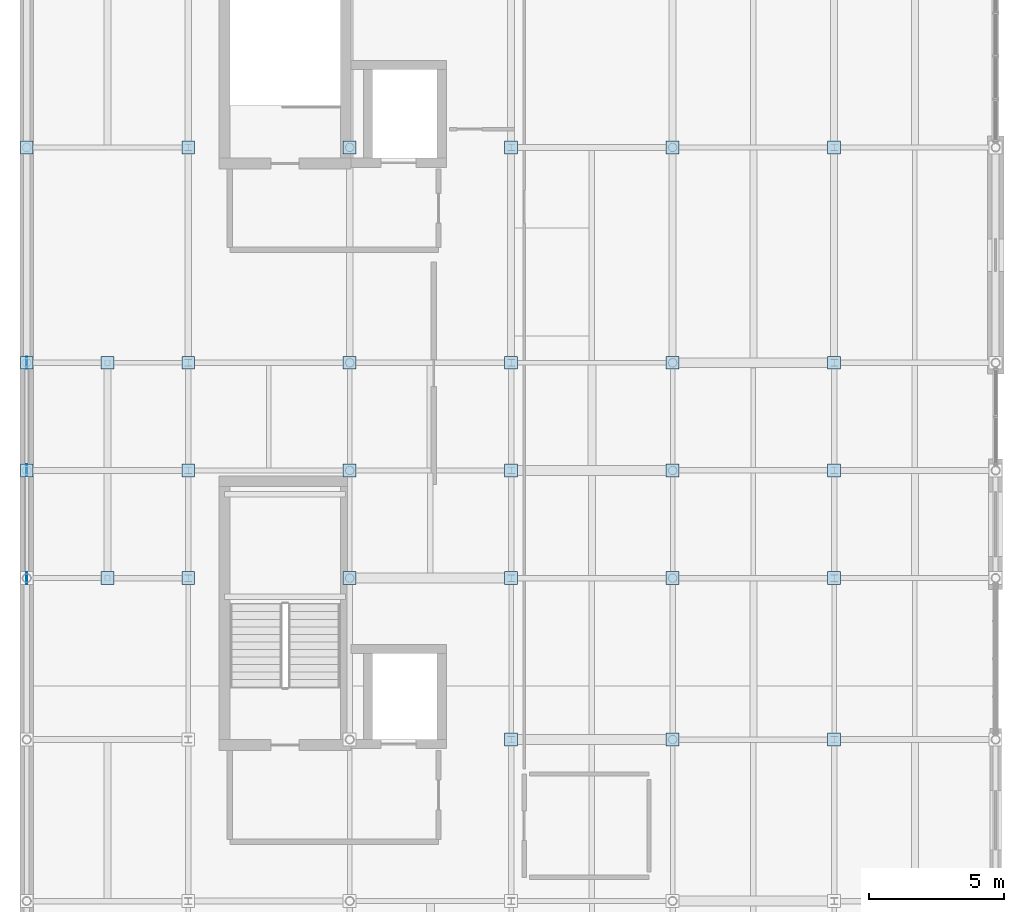
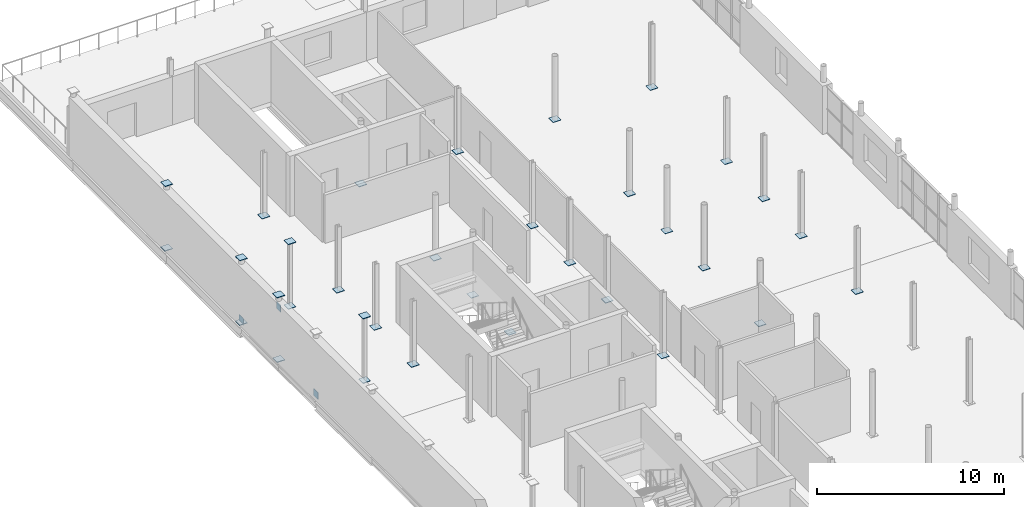
# One storey, part 25 of 30: 36 plates.
"""IFC4 building model written with IfcOpenShell, lengths in metres."""

from ifc_helpers import new_model, si_unit, direction, frame, origin, origin_2d, place, context, subcontext, project, spatial, rectangle, extrude, material, layer, layer_set, type_object, element, save


model = new_model("IFC4")

# Units and contexts
model_context = context("Model", 3, precision=1e-05, world=origin(), true_north=direction((0.0, 1.0)))
body_context = subcontext(model_context, "Body", "Model", "MODEL_VIEW")
ifc_project = project(units=[si_unit("LENGTHUNIT", "METRE"), si_unit("AREAUNIT", "SQUARE_METRE"), si_unit("VOLUMEUNIT", "CUBIC_METRE"), si_unit("PLANEANGLEUNIT", "RADIAN"), si_unit("MASSUNIT", "GRAM", prefix="KILO")], contexts=[model_context])

# Site, building, storey
site_placement = place(None, origin())
site = spatial("IfcSite", under=ifc_project, at=site_placement, CompositionType="ELEMENT")
building_placement = place(site_placement, origin())
building = spatial("IfcBuilding", under=site, at=building_placement, Name="Verrall Gate Interchange", CompositionType="ELEMENT")
storey_placement = place(building_placement, frame((0.0, 0.0, 19.39990234375)))
storey = spatial("IfcBuildingStorey", under=building, at=storey_placement, Name="L05", CompositionType="ELEMENT", Elevation=19.39990234375)

# Plates
ifc_material_1 = material(Name="Structural Steel CSA G40.21 350WT Cat 4", Category="steel")
ifc_layer_1 = layer(ifc_material_1, 0.0400390625)
ifc_layer_set_1 = layer_set([ifc_layer_1], Name="Structural Steel CSA G40.21 350WT Cat 4")
plate_type_1 = type_object("IfcPlateType", Name="BP-01 Base Plate 40", PredefinedType="USERDEFINED", material=ifc_layer_set_1)
for number, where, z_axis, x_axis, name in (
    (1, (0.0, 44.0, -0.02001953125), (0.0, 0.0, 1.0), (1.0, 0.0, 0.0), "L05 Hollow Column Transition Cap Plate 0063"),
    (2, (0.0, 44.0, 4.2001953125), (0.0, 0.0, 1.0), (1.0, 0.0, 0.0), "L05 Hollow Column Top Cap Plate 0064"),
    (3, (0.0, 48.0, -0.02001953125), (0.0, 0.0, 1.0), (1.0, 0.0, 0.0), "L05 Hollow Column Transition Cap Plate 0070"),
    (4, (0.0, 48.0, 4.2001953125), (0.0, 0.0, 1.0), (1.0, 0.0, 0.0), "L05 Hollow Column Top Cap Plate 0071"),
    (5, (0.0, 56.0, -0.02001953125), (0.0, 0.0, 1.0), (1.0, 0.0, 0.0), "L05 Hollow Column Transition Cap Plate 0077"),
    (6, (0.0, 56.0, 4.2001953125), (0.0, 0.0, 1.0), (1.0, 0.0, 0.0), "L05 Hollow Column Top Cap Plate 0078"),
    (7, (3.0, 40.0, -0.02001953125), (0.0, 0.0, 1.0), (1.0, 0.0, 0.0), "L05 Hollow Column Transition Cap Plate 0120"),
    (8, (3.0, 40.0, 4.2001953125), (0.0, 0.0, 1.0), (1.0, 0.0, 0.0), "L05 Hollow Column Top Cap Plate 0121"),
    (9, (3.0, 48.0, -0.02001953125), (0.0, 0.0, 1.0), (1.0, 0.0, 0.0), "L05 Hollow Column Transition Cap Plate 0127"),
    (10, (3.0, 48.0, 4.2001953125), (0.0, 0.0, 1.0), (1.0, 0.0, 0.0), "L05 Hollow Column Top Cap Plate 0128"),
    (11, (6.0, 40.0, -0.02001953125), (0.0, 0.0, 1.0), (1.0, 0.0, 0.0), "L05 Hollow Column Transition Cap Plate 0195"),
    (12, (6.0, 44.0, -0.02001953125), (0.0, 0.0, 1.0), (1.0, 0.0, 0.0), "L05 Hollow Column Transition Cap Plate 0204"),
    (13, (6.0, 48.0, -0.02001953125), (0.0, 0.0, 1.0), (1.0, 0.0, 0.0), "L05 Hollow Column Transition Cap Plate 0213"),
    (14, (6.0, 56.0, -0.02001953125), (0.0, 0.0, 1.0), (1.0, 0.0, 0.0), "L05 Hollow Column Transition Cap Plate 0221"),
    (15, (12.0, 40.0, -0.02001953125), (0.0, 0.0, 1.0), (1.0, 0.0, 0.0), "L05 Hollow Column Transition Cap Plate 0312"),
    (16, (12.0, 44.0, -0.02001953125), (0.0, 0.0, 1.0), (1.0, 0.0, 0.0), "L05 Hollow Column Transition Cap Plate 0321"),
    (17, (12.0, 48.0, -0.02001953125), (0.0, 0.0, 1.0), (1.0, 0.0, 0.0), "L05 Hollow Column Transition Cap Plate 0330"),
    (18, (12.0, 56.0, -0.02001953125), (0.0, 0.0, 1.0), (1.0, 0.0, 0.0), "L05 Hollow Column Transition Cap Plate 0338"),
    (19, (18.0, 34.0, -0.02001953125), (0.0, 0.0, 1.0), (1.0, 0.0, 0.0), "L05 Hollow Column Transition Cap Plate 0420"),
    (20, (18.0, 40.0, -0.02001953125), (0.0, 0.0, 1.0), (1.0, 0.0, 0.0), "L05 Hollow Column Transition Cap Plate 0429"),
    (21, (18.0, 44.0, -0.02001953125), (0.0, 0.0, 1.0), (1.0, 0.0, 0.0), "L05 Hollow Column Transition Cap Plate 0438"),
    (22, (18.0, 48.0, -0.02001953125), (0.0, 0.0, 1.0), (1.0, 0.0, 0.0), "L05 Hollow Column Transition Cap Plate 0447"),
    (23, (18.0, 56.0, -0.02001953125), (0.0, 0.0, 1.0), (1.0, 0.0, 0.0), "L05 Hollow Column Transition Cap Plate 0455"),
    (24, (24.0, 34.0, -0.02001953125), (0.0, 0.0, 1.0), (1.0, 0.0, 0.0), "L05 Hollow Column Transition Cap Plate 0537"),
    (25, (24.0, 40.0, -0.02001953125), (0.0, 0.0, 1.0), (1.0, 0.0, 0.0), "L05 Hollow Column Transition Cap Plate 0546"),
    (26, (24.0, 44.0, -0.02001953125), (0.0, 0.0, 1.0), (1.0, 0.0, 0.0), "L05 Hollow Column Transition Cap Plate 0555"),
    (27, (24.0, 48.0, -0.02001953125), (0.0, 0.0, 1.0), (1.0, 0.0, 0.0), "L05 Hollow Column Transition Cap Plate 0564"),
    (28, (24.0, 56.0, -0.02001953125), (0.0, 0.0, 1.0), (1.0, 0.0, 0.0), "L05 Hollow Column Transition Cap Plate 0572"),
    (29, (30.0, 34.0, -0.02001953125), (0.0, 0.0, 1.0), (1.0, 0.0, 0.0), "L05 Hollow Column Transition Cap Plate 0654"),
    (30, (30.0, 40.0, -0.02001953125), (0.0, 0.0, 1.0), (1.0, 0.0, 0.0), "L05 Hollow Column Transition Cap Plate 0663"),
    (31, (30.0, 44.0, -0.02001953125), (0.0, 0.0, 1.0), (1.0, 0.0, 0.0), "L05 Hollow Column Transition Cap Plate 0672"),
    (32, (30.0, 48.0, -0.02001953125), (0.0, 0.0, 1.0), (1.0, 0.0, 0.0), "L05 Hollow Column Transition Cap Plate 0681"),
    (33, (30.0, 56.0, -0.02001953125), (0.0, 0.0, 1.0), (1.0, 0.0, 0.0), "L05 Hollow Column Transition Cap Plate 0689"),
):
    element("IfcPlate", number, at=place(storey_placement, frame(where, z_axis=z_axis, x_axis=x_axis)), inside=storey, type_object=plate_type_1, Name=name, ObjectType="BASE_PLATE", PredefinedType="USERDEFINED", context=body_context, shape_type="SweptSolid", body=[
        extrude(rectangle(XDim=0.47998046875, YDim=0.47998046875, at=origin_2d()), origin(), (0.0, 0.0, 1.0), 0.0400390625),
    ])
ifc_material_2 = material(Name="Structural Steel CSA G40.21 350WT Cat 4", Category="steel")
ifc_layer_2 = layer(ifc_material_2, 0.030029296875)
ifc_layer_set_2 = layer_set([ifc_layer_2], Name="Structural Steel CSA G40.21 350WT Cat 4")
plate_type_2 = type_object("IfcPlateType", Name="GP-02 Gusset Plate 30", PredefinedType="SHEET", material=ifc_layer_set_2)
for number, where, z_axis, x_axis, name in (
    (34, (0.0, 40.0, -0.0849609375), (0.0, 0.0, 1.0), (1.0, 0.0, 0.0), "Chevron Brace Gusset Node CBF3-L05-BA"),
    (35, (0.0, 48.0, -0.0849609375), (0.0, 0.0, 1.0), (1.0, 0.0, 0.0), "Chevron Brace Gusset Node CBF3-L05-BB"),
    (36, (0.0, 44.0, 3.1953125), (0.0, 0.0, 1.0), (1.0, 0.0, 0.0), "Chevron Brace Gusset Node CBF3-L05-AP"),
):
    element("IfcPlate", number, at=place(storey_placement, frame(where, z_axis=z_axis, x_axis=x_axis)), inside=storey, type_object=plate_type_2, Name=name, PredefinedType="SHEET", context=body_context, shape_type="SweptSolid", body=[
        extrude(rectangle(XDim=0.030029296875, YDim=0.449951171875, at=origin_2d()), origin(), (0.0, 0.0, 1.0), 0.449951171875),
    ])

save(model, "model.ifc")
